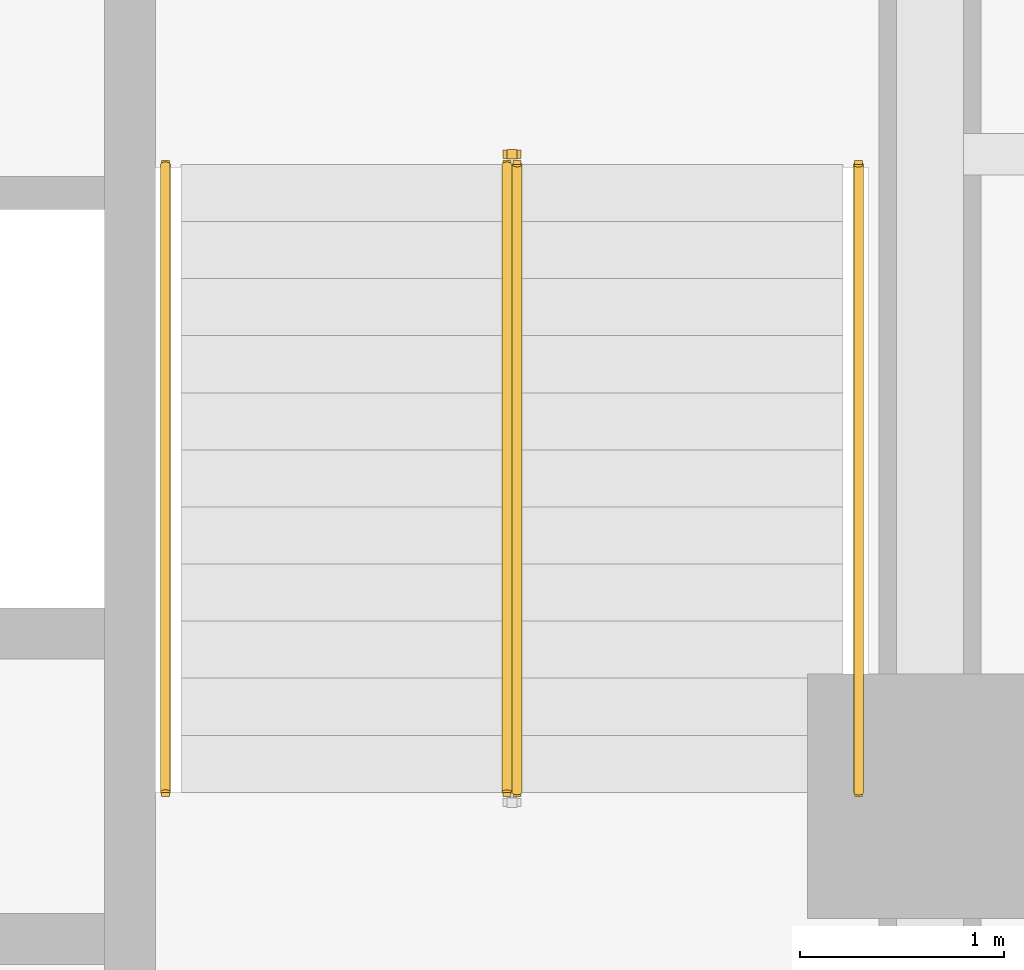
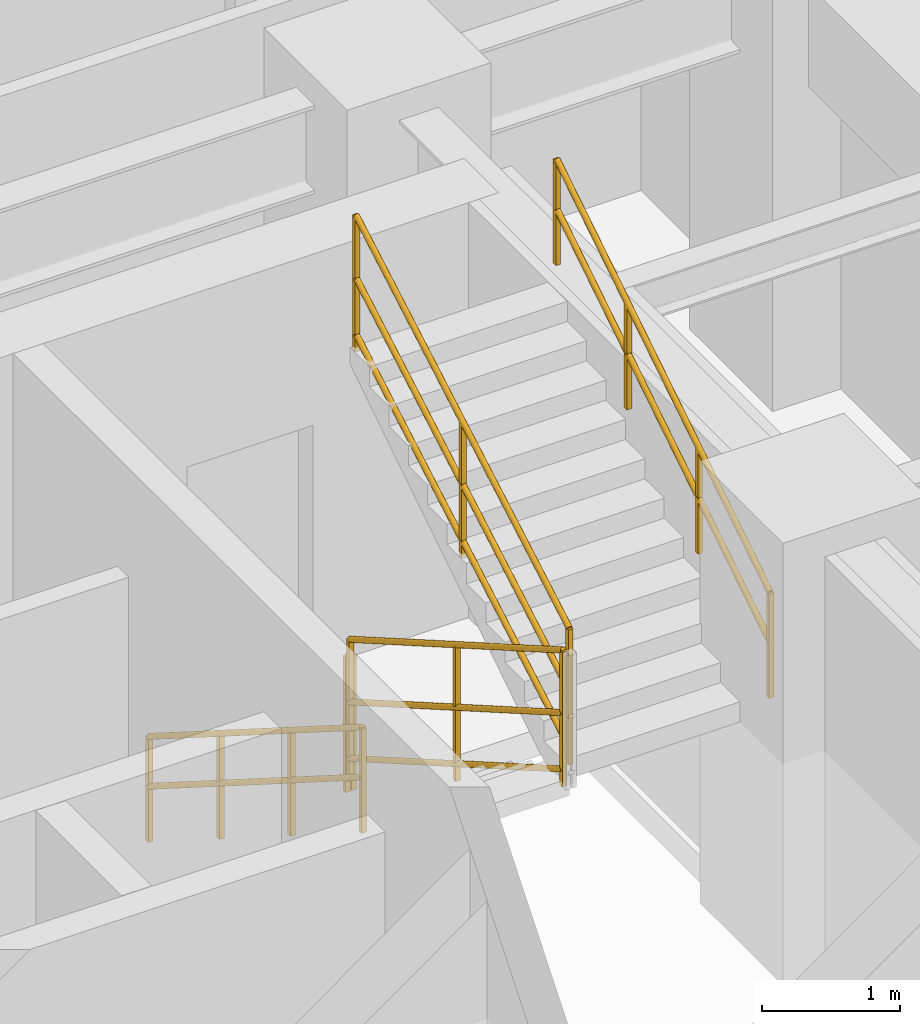
# One storey, part 8 of 9: 5 railings.
"""IFC4 building model written with IfcOpenShell, lengths in metres."""

import ifcopenshell
import ifcopenshell.guid

model = None  # the IFC model being written
_history = None  # IfcOwnerHistory: only IFC2X3 demands one
_inside = {}  # id of a spatial element -> (the spatial element, [elements in it])
_under = {}  # id of a project, library or spatial element -> (it, [spatial elements below it])
_declared = {}  # id of a project -> (the project, [libraries it declares])
_typed = {}  # id of a type object -> (the type object, [elements of that type])
_made_of = {}  # id of a material, layer set ... -> (it, [elements and type objects made of it])


def new_model(schema):
    """Start an empty IFC model of exactly this schema.

    Asked for "IFC4X3", IfcOpenShell would pick the latest addendum, in which some entities
    have other attributes; the version numbers below select the first issue.
    IFC2X3 requires an IfcOwnerHistory on every rooted entity: one is made here for all.
    """
    global model, _history
    if schema == "IFC4X3":
        model = ifcopenshell.file(schema_version=(4, 3, 0, 0))
    else:
        model = ifcopenshell.file(schema=schema)
    _inside.clear()
    _under.clear()
    _declared.clear()
    _typed.clear()
    _made_of.clear()
    _history = None
    if model.schema == "IFC2X3":
        org = make("IfcOrganization", Name="unknown")
        user = make(
            "IfcPersonAndOrganization",
            ThePerson=make("IfcPerson", FamilyName="unknown"),
            TheOrganization=org,
        )
        app = make(
            "IfcApplication",
            ApplicationDeveloper=org,
            Version="unknown",
            ApplicationFullName="unknown",
            ApplicationIdentifier="unknown",
        )
        _history = make(
            "IfcOwnerHistory",
            OwningUser=user,
            OwningApplication=app,
            ChangeAction="ADDED",
            CreationDate=0,
        )
    return model


def make(cls, **values):
    """One entity of the class cls with the attributes given. An attribute that is None is left unset."""
    return model.create_entity(
        cls, **{name: value for name, value in values.items() if value is not None}
    )


def entity(cls, *values):
    """Any entity or typed value of the class cls, its attributes in the order of the schema. None: left unset."""
    e = model.create_entity(cls)
    for i, value in enumerate(values):
        if value is not None:
            e[i] = value
    return e


def rooted(cls, **values):
    """An entity with a GlobalId (a new one), such as an element, a storey or a relation."""
    return make(cls, GlobalId=ifcopenshell.guid.new(), OwnerHistory=_history, **values)


def si_unit(unit_type, name, prefix=None):
    """IfcSIUnit, for example si_unit("LENGTHUNIT", "METRE", prefix="MILLI")."""
    return make("IfcSIUnit", UnitType=unit_type, Prefix=prefix, Name=name)


def converted_unit(unit_type, name, factor, base, dimensions=None, offset=None):
    """IfcConversionBasedUnit, such as the inch: factor (a typed value) times the base unit."""
    return make(
        "IfcConversionBasedUnit"
        if offset is None
        else "IfcConversionBasedUnitWithOffset",
        ConversionOffset=offset,
        Dimensions=None
        if dimensions is None
        else entity("IfcDimensionalExponents", *dimensions),
        UnitType=unit_type,
        Name=name,
        ConversionFactor=make(
            "IfcMeasureWithUnit", ValueComponent=factor, UnitComponent=base
        ),
    )


def assignment(units):
    """IfcUnitAssignment: the units of a project."""
    return None if units is None else make("IfcUnitAssignment", Units=units)


def point(xyz):
    """IfcCartesianPoint."""
    return None if xyz is None else make("IfcCartesianPoint", Coordinates=xyz)


def direction(xyz):
    """IfcDirection."""
    return None if xyz is None else make("IfcDirection", DirectionRatios=xyz)


def frame(location, z_axis=None, x_axis=None):
    """IfcAxis2Placement3D, a coordinate frame: its origin and axes. An axis left out is left unset."""
    return make(
        "IfcAxis2Placement3D",
        Location=point(location),
        Axis=direction(z_axis),
        RefDirection=direction(x_axis),
    )


def frame_2d(location, x_axis=None):
    """IfcAxis2Placement2D, a coordinate frame in the plane: its origin and x axis."""
    return make(
        "IfcAxis2Placement2D", Location=point(location), RefDirection=direction(x_axis)
    )


def origin_with_axes():
    """The frame at (0, 0, 0) with the z axis (0, 0, 1) and the x axis (1, 0, 0) written out."""
    return frame((0.0, 0.0, 0.0), z_axis=(0.0, 0.0, 1.0), x_axis=(1.0, 0.0, 0.0))


def origin_2d_with_axis():
    """The frame at (0, 0) in the plane with the x axis (1, 0) written out."""
    return frame_2d((0.0, 0.0), x_axis=(1.0, 0.0))


def place(relative_to, where):
    """IfcLocalPlacement: puts the frame where relative to a parent placement (None: the world)."""
    return make(
        "IfcLocalPlacement", PlacementRelTo=relative_to, RelativePlacement=where
    )


def context(
    kind, dimensions, precision=None, world=None, true_north=None, identifier=None
):
    """IfcGeometricRepresentationContext, for example the 3D "Model" context."""
    return make(
        "IfcGeometricRepresentationContext",
        ContextIdentifier=identifier,
        ContextType=kind,
        CoordinateSpaceDimension=dimensions,
        Precision=precision,
        WorldCoordinateSystem=world,
        TrueNorth=true_north,
    )


def subcontext(parent, identifier, kind, view, scale=None):
    """IfcGeometricRepresentationSubContext, for example "Body" below "Model"."""
    return make(
        "IfcGeometricRepresentationSubContext",
        ContextIdentifier=identifier,
        ContextType=kind,
        ParentContext=parent,
        TargetScale=scale,
        TargetView=view,
    )


def project(units=None, contexts=None):
    """IfcProject with its units and contexts."""
    return rooted(
        "IfcProject",
        Name="project",
        RepresentationContexts=contexts,
        UnitsInContext=assignment(units),
    )


def spatial(cls, under=None, at=None, **own):
    """A site, building, storey or space (cls), placed at a placement, below another one or the project."""
    s = rooted(cls, ObjectPlacement=at, **own)
    if under is not None:
        _under.setdefault(under.id(), (under, []))[1].append(s)
    return s


def profile(cls, at=None, kind="AREA", **sizes):
    """A parametric profile (cls). Its sizes go by their IFC names, for example OverallWidth=200.0."""
    return make(cls, ProfileType=kind, Position=at, **sizes)


def rectangle(**sizes):
    """IfcRectangleProfileDef."""
    return profile("IfcRectangleProfileDef", **sizes)


def circle(**sizes):
    """IfcCircleProfileDef."""
    return profile("IfcCircleProfileDef", **sizes)


def extrude(swept, where, along, depth):
    """IfcExtrudedAreaSolid: the profile swept, set in the frame where, extruded along a direction by depth."""
    return make(
        "IfcExtrudedAreaSolid",
        SweptArea=swept,
        Position=where,
        ExtrudedDirection=direction(along),
        Depth=depth,
    )


def shape(context_of_items, identifier, shape_type, items):
    """IfcShapeRepresentation: the items that make up one representation, for example the "Body"."""
    return make(
        "IfcShapeRepresentation",
        ContextOfItems=context_of_items,
        RepresentationIdentifier=identifier,
        RepresentationType=shape_type,
        Items=items,
    )


def material(Name=None, Category=None):
    """IfcMaterial."""
    return make("IfcMaterial", Name=Name, Category=Category)


def made_of(thing, what):
    """Note that an element or type object is made of a material, layer set ...; save() writes the relation."""
    if what is not None:
        _made_of.setdefault(what.id(), (what, []))[1].append(thing)
    return thing


def type_object(cls, material=None, **own):
    """A type object (cls), such as IfcWallType, which elements share."""
    return made_of(rooted(cls, **own), material)


def element(
    cls,
    number,
    at=None,
    inside=None,
    cuts=None,
    type_object=None,
    material=None,
    context=None,
    identifier="Body",
    shape_type=None,
    held_by="IfcProductDefinitionShape",
    body=None,
    shapes=None,
    **own,
):
    """One element of the class cls, such as IfcWall. Its Tag is "e" and its number.

    at: its placement. inside: the storey or other place that contains it. cuts: it is an
    opening in that element (IfcRelVoidsElement). A single representation is given by context,
    identifier, shape_type and body (its items); several are given by shapes. held_by: the class
    of the entity that holds the representations. save() writes the other relations.
    """
    e = rooted(cls, Tag="e%d" % number, ObjectPlacement=at, **own)
    if body is not None:
        shapes = [shape(context, identifier, shape_type, body)]
    if shapes is not None:
        e.Representation = make(held_by, Representations=shapes)
    if inside is not None:
        _inside.setdefault(inside.id(), (inside, []))[1].append(e)
    if cuts is not None:
        rooted(
            "IfcRelVoidsElement", RelatingBuildingElement=cuts, RelatedOpeningElement=e
        )
    if type_object is not None:
        _typed.setdefault(type_object.id(), (type_object, []))[1].append(e)
    return made_of(e, material)


def aggregate(whole, parts):
    """IfcRelAggregates: a whole, such as a stair, and the parts it consists of."""
    return rooted("IfcRelAggregates", RelatingObject=whole, RelatedObjects=parts)


def save(model, path):
    """Write the relations noted so far, then the file.

    IfcRelAggregates (storeys below a building ...), IfcRelContainedInSpatialStructure (elements
    in a storey), IfcRelDefinesByType, IfcRelAssociatesMaterial and IfcRelDeclares: one each for
    every whole, place, type object, material and project.
    """
    for whole, parts in _under.values():
        aggregate(whole, parts)
    for where, things in _inside.values():
        rooted(
            "IfcRelContainedInSpatialStructure",
            RelatedElements=things,
            RelatingStructure=where,
        )
    for kind, things in _typed.values():
        rooted("IfcRelDefinesByType", RelatedObjects=things, RelatingType=kind)
    for what, things in _made_of.values():
        rooted("IfcRelAssociatesMaterial", RelatedObjects=things, RelatingMaterial=what)
    for by, libraries in _declared.values():
        rooted("IfcRelDeclares", RelatingContext=by, RelatedDefinitions=libraries)
    model.write(path)


model = new_model("IFC4")

# Units and contexts
model_context = context("Model", 3, precision=1e-05, world=origin_with_axes(), true_north=direction((0.0, 1.0)))
body_context = subcontext(model_context, "Body", "Model", "MODEL_VIEW")
ifc_project = project(units=[si_unit("LENGTHUNIT", "METRE"), si_unit("AREAUNIT", "SQUARE_METRE"), si_unit("VOLUMEUNIT", "CUBIC_METRE"), converted_unit("PLANEANGLEUNIT", "DEGREE", entity("IfcPlaneAngleMeasure", 0.017453292519943295), si_unit("PLANEANGLEUNIT", "RADIAN"), dimensions=[0, 0, 0, 0, 0, 0, 0]), si_unit("MASSUNIT", "GRAM", prefix="KILO"), si_unit("THERMODYNAMICTEMPERATUREUNIT", "KELVIN")], contexts=[model_context])

# Site, building, storey
site_placement = place(None, origin_with_axes())
site = spatial("IfcSite", under=ifc_project, at=site_placement, CompositionType="ELEMENT")
building_placement = place(site_placement, origin_with_axes())
building = spatial("IfcBuilding", under=site, at=building_placement, Name="Varnlund Millrace Tower", CompositionType="ELEMENT")
storey_placement = place(building_placement, frame((0.0, 0.0, 112.5), z_axis=(0.0, 0.0, 1.0), x_axis=(1.0, 0.0, 0.0)))
storey = spatial("IfcBuildingStorey", under=building, at=storey_placement, Name="L27", CompositionType="ELEMENT", Elevation=112.5)

# Railings
ifc_material_1 = material(Name="Painted steel stair well balustrade guard", Category="steel")
railing_type_1 = type_object("IfcRailingType", Name="Type-StairGuard-1150", PredefinedType="GUARDRAIL", material=ifc_material_1)
railing_1_placement = place(storey_placement, frame((0.0, 0.0, -112.5), z_axis=(0.0, 0.0, 1.0), x_axis=(1.0, 0.0, 0.0)))
element("IfcRailing", 1, at=railing_1_placement, inside=storey, type_object=railing_type_1, Name="Type-StairGuard-1150", PredefinedType="GUARDRAIL", context=body_context, shape_type="SweptSolid", body=[
    extrude(circle(Radius=0.024, at=origin_2d_with_axis()), frame((45.975, 21.1, 113.827273), z_axis=(0.0, -0.866696, 0.498836), x_axis=(1.0, 0.0, 0.0)), (0.0, 0.0, 1.0), 3.553725),
    extrude(circle(Radius=0.024, at=origin_2d_with_axis()), frame((45.975, 21.1, 112.777273), z_axis=(0.0, -0.866696, 0.498836), x_axis=(1.0, 0.0, 0.0)), (0.0, 0.0, 1.0), 3.553725),
    extrude(circle(Radius=0.024, at=origin_2d_with_axis()), frame((45.975, 21.1, 113.275273), z_axis=(0.0, -0.866696, 0.498836), x_axis=(1.0, 0.0, 0.0)), (0.0, 0.0, 1.0), 3.553725),
    extrude(rectangle(XDim=0.04, YDim=0.04, at=origin_2d_with_axis()), frame((45.975, 21.1, 112.637273), z_axis=(0.0, 0.0, 1.0), x_axis=(1.0, 0.0, 0.0)), (0.0, 0.0, 1.0), 1.19),
    extrude(rectangle(XDim=0.04, YDim=0.04, at=origin_2d_with_axis()), frame((45.975, 19.56, 113.523636), z_axis=(0.0, 0.0, 1.0), x_axis=(1.0, 0.0, 0.0)), (0.0, 0.0, 1.0), 1.19),
    extrude(rectangle(XDim=0.04, YDim=0.04, at=origin_2d_with_axis()), frame((45.975, 18.02, 114.41), z_axis=(0.0, 0.0, 1.0), x_axis=(1.0, 0.0, 0.0)), (0.0, 0.0, 1.0), 1.19),
])
railing_2_placement = place(storey_placement, frame((0.0, 0.0, -112.5), z_axis=(0.0, 0.0, 1.0), x_axis=(1.0, 0.0, 0.0)))
element("IfcRailing", 2, at=railing_2_placement, inside=storey, type_object=railing_type_1, Name="Type-StairGuard-1150", PredefinedType="GUARDRAIL", context=body_context, shape_type="SweptSolid", body=[
    extrude(circle(Radius=0.024, at=origin_2d_with_axis()), frame((46.025, 18.02, 115.777273), z_axis=(0.0, 0.866696, 0.498836), x_axis=(-1.0, 0.0, 0.0)), (0.0, 0.0, 1.0), 3.553725),
    extrude(circle(Radius=0.024, at=origin_2d_with_axis()), frame((46.025, 18.02, 114.727273), z_axis=(0.0, 0.866696, 0.498836), x_axis=(-1.0, 0.0, 0.0)), (0.0, 0.0, 1.0), 3.553725),
    extrude(circle(Radius=0.024, at=origin_2d_with_axis()), frame((46.025, 18.02, 115.225273), z_axis=(0.0, 0.866696, 0.498836), x_axis=(-1.0, 0.0, 0.0)), (0.0, 0.0, 1.0), 3.553725),
    extrude(rectangle(XDim=0.04, YDim=0.04, at=origin_2d_with_axis()), frame((46.025, 18.02, 114.587273), z_axis=(0.0, 0.0, 1.0), x_axis=(1.0, 0.0, 0.0)), (0.0, 0.0, 1.0), 1.19),
    extrude(rectangle(XDim=0.04, YDim=0.04, at=origin_2d_with_axis()), frame((46.025, 19.56, 115.473636), z_axis=(0.0, 0.0, 1.0), x_axis=(1.0, 0.0, 0.0)), (0.0, 0.0, 1.0), 1.19),
    extrude(rectangle(XDim=0.04, YDim=0.04, at=origin_2d_with_axis()), frame((46.025, 21.1, 116.36), z_axis=(0.0, 0.0, 1.0), x_axis=(1.0, 0.0, 0.0)), (0.0, 0.0, 1.0), 1.19),
])
railing_3_placement = place(storey_placement, frame((0.0, 0.0, -112.5), z_axis=(0.0, 0.0, 1.0), x_axis=(1.0, 0.0, 0.0)))
element("IfcRailing", 3, at=railing_3_placement, inside=storey, type_object=railing_type_1, Name="Type-StairGuard-1150", PredefinedType="GUARDRAIL", context=body_context, shape_type="SweptSolid", body=[
    extrude(circle(Radius=0.024, at=origin_2d_with_axis()), frame((46.025, 21.15, 113.65), z_axis=(-1.0, 0.0, 0.0), x_axis=(0.0, -1.0, 0.0)), (0.0, 0.0, 1.0), 0.05),
    extrude(circle(Radius=0.024, at=origin_2d_with_axis()), frame((46.025, 21.15, 112.6), z_axis=(-1.0, 0.0, 0.0), x_axis=(0.0, -1.0, 0.0)), (0.0, 0.0, 1.0), 0.05),
    extrude(circle(Radius=0.024, at=origin_2d_with_axis()), frame((46.025, 21.15, 113.098), z_axis=(-1.0, 0.0, 0.0), x_axis=(0.0, -1.0, 0.0)), (0.0, 0.0, 1.0), 0.05),
    extrude(rectangle(XDim=0.04, YDim=0.04, at=origin_2d_with_axis()), frame((46.025, 21.15, 112.46), z_axis=(0.0, 0.0, 1.0), x_axis=(1.0, 0.0, 0.0)), (0.0, 0.0, 1.0), 1.19),
    extrude(rectangle(XDim=0.04, YDim=0.04, at=origin_2d_with_axis()), frame((45.975, 21.15, 112.46), z_axis=(0.0, 0.0, 1.0), x_axis=(1.0, 0.0, 0.0)), (0.0, 0.0, 1.0), 1.19),
])
ifc_material_2 = material(Name="Brushed architectural bronze stair handrail", Category="aluminium")
railing_type_2 = type_object("IfcRailingType", Name="Type-StairHandrail-900", PredefinedType="HANDRAIL", material=ifc_material_2)
railing_4_placement = place(storey_placement, frame((0.0, 0.0, -112.5), z_axis=(0.0, 0.0, 1.0), x_axis=(1.0, 0.0, 0.0)))
element("IfcRailing", 4, at=railing_4_placement, inside=storey, type_object=railing_type_2, Name="Type-StairHandrail-900", PredefinedType="HANDRAIL", context=body_context, shape_type="SweptSolid", body=[
    extrude(circle(Radius=0.024, at=origin_2d_with_axis()), frame((44.3, 21.1, 113.556995), z_axis=(0.0, -0.844902, 0.534922), x_axis=(1.0, 0.0, 0.0)), (0.0, 0.0, 1.0), 3.645394),
    extrude(circle(Radius=0.024, at=origin_2d_with_axis()), frame((44.3, 21.1, 113.117134), z_axis=(0.0, -0.844902, 0.534922), x_axis=(1.0, 0.0, 0.0)), (0.0, 0.0, 1.0), 3.645394),
    extrude(rectangle(XDim=0.04, YDim=0.04, at=origin_2d_with_axis()), frame((44.3, 21.1, 112.637273), z_axis=(0.0, 0.0, 1.0), x_axis=(1.0, 0.0, 0.0)), (0.0, 0.0, 1.0), 0.919722),
    extrude(rectangle(XDim=0.04, YDim=0.04, at=origin_2d_with_axis()), frame((44.3, 20.073333, 113.287273), z_axis=(0.0, 0.0, 1.0), x_axis=(1.0, 0.0, 0.0)), (0.0, 0.0, 1.0), 0.919722),
    extrude(rectangle(XDim=0.04, YDim=0.04, at=origin_2d_with_axis()), frame((44.3, 19.046667, 113.937273), z_axis=(0.0, 0.0, 1.0), x_axis=(1.0, 0.0, 0.0)), (0.0, 0.0, 1.0), 0.919722),
    extrude(rectangle(XDim=0.04, YDim=0.04, at=origin_2d_with_axis()), frame((44.3, 18.02, 114.587273), z_axis=(0.0, 0.0, 1.0), x_axis=(1.0, 0.0, 0.0)), (0.0, 0.0, 1.0), 0.919722),
])
railing_5_placement = place(storey_placement, frame((0.0, 0.0, -112.5), z_axis=(0.0, 0.0, 1.0), x_axis=(1.0, 0.0, 0.0)))
element("IfcRailing", 5, at=railing_5_placement, inside=storey, type_object=railing_type_2, Name="Type-StairHandrail-900", PredefinedType="HANDRAIL", context=body_context, shape_type="SweptSolid", body=[
    extrude(circle(Radius=0.024, at=origin_2d_with_axis()), frame((47.7, 18.02, 115.506995), z_axis=(0.0, 0.844902, 0.534922), x_axis=(-1.0, 0.0, 0.0)), (0.0, 0.0, 1.0), 3.645394),
    extrude(circle(Radius=0.024, at=origin_2d_with_axis()), frame((47.7, 18.02, 115.067134), z_axis=(0.0, 0.844902, 0.534922), x_axis=(-1.0, 0.0, 0.0)), (0.0, 0.0, 1.0), 3.645394),
    extrude(rectangle(XDim=0.04, YDim=0.04, at=origin_2d_with_axis()), frame((47.7, 18.02, 114.587273), z_axis=(0.0, 0.0, 1.0), x_axis=(1.0, 0.0, 0.0)), (0.0, 0.0, 1.0), 0.919722),
    extrude(rectangle(XDim=0.04, YDim=0.04, at=origin_2d_with_axis()), frame((47.7, 19.046667, 115.237273), z_axis=(0.0, 0.0, 1.0), x_axis=(1.0, 0.0, 0.0)), (0.0, 0.0, 1.0), 0.919722),
    extrude(rectangle(XDim=0.04, YDim=0.04, at=origin_2d_with_axis()), frame((47.7, 20.073333, 115.887273), z_axis=(0.0, 0.0, 1.0), x_axis=(1.0, 0.0, 0.0)), (0.0, 0.0, 1.0), 0.919722),
    extrude(rectangle(XDim=0.04, YDim=0.04, at=origin_2d_with_axis()), frame((47.7, 21.1, 116.537273), z_axis=(0.0, 0.0, 1.0), x_axis=(1.0, 0.0, 0.0)), (0.0, 0.0, 1.0), 0.919722),
])

save(model, "model.ifc")
